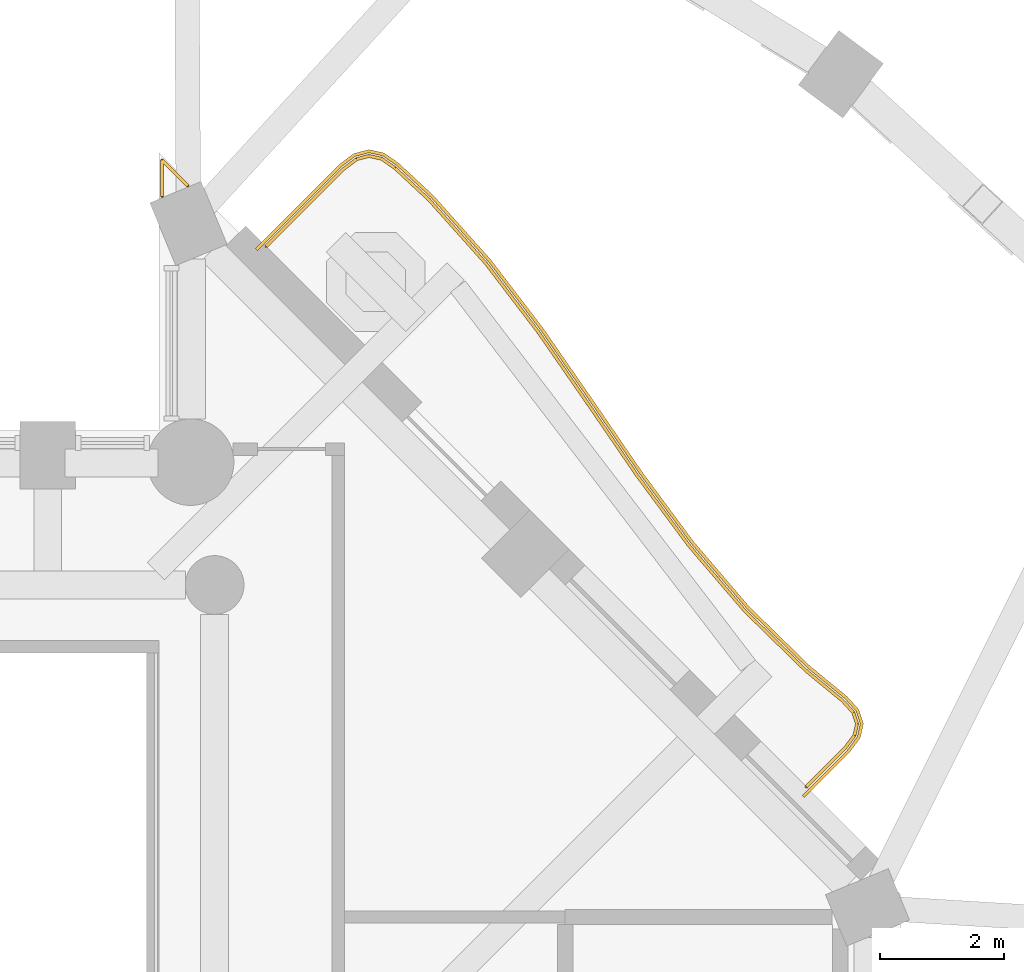
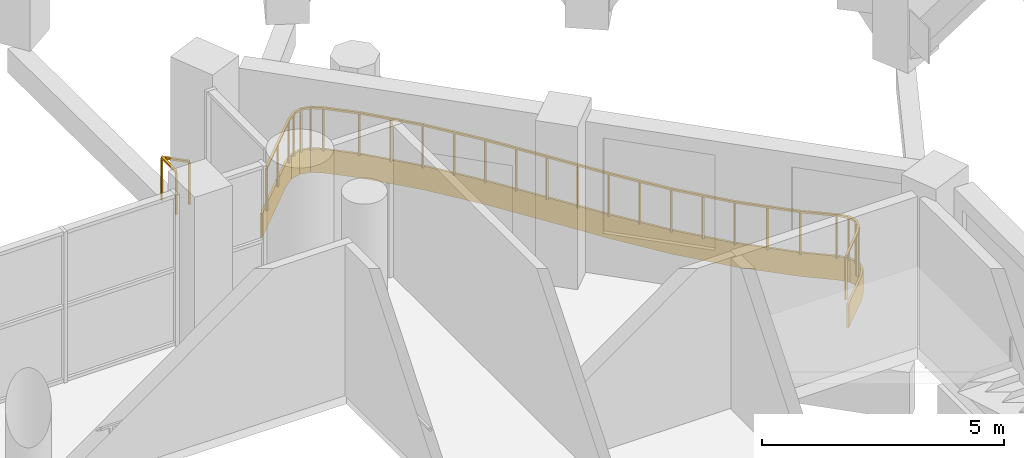
# One storey, part 15 of 16: 2 railings, 1 covering.
"""IFC4 building model written with IfcOpenShell, lengths in metres."""

from ifc_helpers import new_model, si_unit, direction, frame, origin, origin_2d, place, context, subcontext, project, spatial, polyline, rectangle, outline, extrude, material, layer, layer_set, type_object, element, save


model = new_model("IFC4")

# Units and contexts
model_context = context("Model", 3, precision=1e-05, world=origin(), true_north=direction((0.0, 1.0)))
body_context = subcontext(model_context, "Body", "Model", "MODEL_VIEW")
ifc_project = project(units=[si_unit("LENGTHUNIT", "METRE"), si_unit("AREAUNIT", "SQUARE_METRE"), si_unit("VOLUMEUNIT", "CUBIC_METRE"), si_unit("PLANEANGLEUNIT", "RADIAN"), si_unit("MASSUNIT", "GRAM", prefix="KILO")], contexts=[model_context])

# Site, building, storey
site_placement = place(None, origin())
site = spatial("IfcSite", under=ifc_project, at=site_placement, CompositionType="ELEMENT")
building_placement = place(site_placement, origin())
building = spatial("IfcBuilding", under=site, at=building_placement, Name="Cypress Arch Tower", CompositionType="ELEMENT")
storey_placement = place(building_placement, frame((0.0, 0.0, 181.0)))
storey = spatial("IfcBuildingStorey", under=building, at=storey_placement, Name="L39", CompositionType="ELEMENT", Elevation=181.0)

# Covering
ifc_material_1 = material(Name="White powder-coated aluminium fascia", Category="aluminium")
ifc_layer = layer(ifc_material_1, 0.050048828125)
ifc_layer_set = layer_set([ifc_layer], Name="Balcony fascia BF50")
covering_type = type_object("IfcCoveringType", Name="Balcony fascia BF50", PredefinedType="CLADDING", material=ifc_layer_set)
covering_placement = place(storey_placement, frame((0.0, 0.0, -0.60009765625)))
element("IfcCovering", 1, at=covering_placement, inside=storey, type_object=covering_type, Name="Balcony fascia L39-B05", PredefinedType="CLADDING", context=body_context, shape_type="SweptSolid", body=[
    extrude(outline(polyline([(11.021240234375, 16.81005859375), (11.25341796875, 16.984375), (11.498291015625, 17.048095703125), (11.744873046875, 16.9931640625), (11.983154296875, 16.82666015625), (12.544921875, 16.302734375), (13.47265625, 15.264892578125), (14.32275390625, 14.151123046875), (15.125244140625, 12.992431640625), (15.92138671875, 11.829833984375), (16.752685546875, 10.705322265625), (17.653076171875, 9.65185546875), (18.640869140625, 8.686279296875), (19.23388671875, 8.199462890625), (19.427734375, 7.9873046875), (19.503662109375, 7.7568359375), (19.45068359375, 7.52001953125), (19.278564453125, 7.289794921875), (18.545166015625, 6.556396484375), (18.509765625, 6.591796875), (19.24072265625, 7.322509765625), (19.404296875, 7.541259765625), (19.451904296875, 7.75439453125), (19.383544921875, 7.961669921875), (19.199462890625, 8.1630859375), (18.607421875, 8.64892578125), (17.616455078125, 9.61767578125), (16.71337890625, 10.674072265625), (15.880615234375, 11.80078125), (15.084228515625, 12.9638671875), (14.2822265625, 14.12158203125), (13.43408203125, 15.23291015625), (12.50927734375, 16.267822265625), (11.95166015625, 16.787841796875), (11.724365234375, 16.9462890625), (11.4990234375, 16.99658203125), (11.275634765625, 16.9384765625), (11.05419921875, 16.772216796875), (9.691650390625, 15.40966796875), (9.65625, 15.445068359375), (11.021240234375, 16.81005859375)])), origin(), (0.0, 0.0, 1.0), 0.60009765625),
])

# Railings
ifc_material_2 = material(Name="Powder-coated steel posts and rods, 100 mm clear between rods", Category="steel")
railing_type_1 = type_object("IfcRailingType", Name="Balcony guard GR1100", PredefinedType="GUARDRAIL", material=ifc_material_2)
railing_1_placement = place(storey_placement, frame((9.83251953125, 15.479736328125, 0.0)))
element("IfcRailing", 2, at=railing_1_placement, inside=storey, type_object=railing_type_1, Name="Balcony guard L39-B05", PredefinedType="GUARDRAIL", context=body_context, shape_type="SweptSolid", body=[
    extrude(rectangle(XDim=0.050048828125, YDim=0.050048828125, at=origin_2d()), frame((0.0, 0.0, 1.0751953125), z_axis=(0.707037973054, 0.707175582624, 0.0), x_axis=(-0.707175582624, 0.707037973054, 0.0)), (0.0, 0.0, 1.0), 1.774169921875),
    extrude(rectangle(XDim=0.050048828125, YDim=0.050048828125, at=origin_2d()), frame((1.25439453125, 1.254638671875, 1.0751953125), z_axis=(0.8, 0.6, 0.0), x_axis=(-0.6, 0.8, 0.0)), (0.0, 0.0, 1.0), 0.263671875),
    extrude(rectangle(XDim=0.050048828125, YDim=0.050048828125, at=origin_2d()), frame((1.46533203125, 1.412841796875, 1.0751953125), z_axis=(0.967617272397, 0.252421897147, 0.0), x_axis=(-0.252421897147, 0.967617272397, 0.0)), (0.0, 0.0, 1.0), 0.208984375),
    extrude(rectangle(XDim=0.050048828125, YDim=0.050048828125, at=origin_2d()), frame((1.66748046875, 1.465576171875, 1.0751953125), z_axis=(0.975828263359, -0.218538784728, 0.0), x_axis=(0.218538784728, 0.975828263359, 0.0)), (0.0, 0.0, 1.0), 0.208984375),
    extrude(rectangle(XDim=0.050048828125, YDim=0.050048828125, at=origin_2d()), frame((1.871337890625, 1.419921875, 1.0751953125), z_axis=(0.820187564296, -0.572094711891, 0.0), x_axis=(0.572094711891, 0.820187564296, 0.0)), (0.0, 0.0, 1.0), 0.263671875),
    extrude(rectangle(XDim=0.050048828125, YDim=0.050048828125, at=origin_2d()), frame((2.087646484375, 1.26904296875, 1.0751953125), z_axis=(0.73120547943, -0.682157274279, 0.0), x_axis=(0.682157274279, 0.73120547943, 0.0)), (0.0, 0.0, 1.0), 0.756591796875),
    extrude(rectangle(XDim=0.050048828125, YDim=0.050048828125, at=origin_2d()), frame((2.640869140625, 0.7529296875, 1.0751953125), z_axis=(0.66647500518, -0.7455273754, 0.0), x_axis=(0.7455273754, 0.66647500518, 0.0)), (0.0, 0.0, 1.0), 1.383544921875),
    extrude(rectangle(XDim=0.050048828125, YDim=0.050048828125, at=origin_2d()), frame((3.56298828125, -0.278564453125, 1.0751953125), z_axis=(0.606754808131, -0.794889050629, 0.0), x_axis=(0.794889050629, 0.606754808131, 0.0)), (0.0, 0.0, 1.0), 1.39501953125),
    extrude(rectangle(XDim=0.050048828125, YDim=0.050048828125, at=origin_2d()), frame((4.409423828125, -1.387451171875, 1.0751953125), z_axis=(0.569309226398, -0.822123472927, 0.0), x_axis=(0.822123472927, 0.569309226398, 0.0)), (0.0, 0.0, 1.0), 1.406982421875),
    extrude(rectangle(XDim=0.050048828125, YDim=0.050048828125, at=origin_2d()), frame((5.21044921875, -2.544189453125, 1.0751953125), z_axis=(0.564963112058, -0.825116162739, 0.0), x_axis=(0.825116162739, 0.564963112058, 0.0)), (0.0, 0.0, 1.0), 1.410400390625),
    extrude(rectangle(XDim=0.050048828125, YDim=0.050048828125, at=origin_2d()), frame((6.00732421875, -3.7080078125, 1.0751953125), z_axis=(0.594420399832, -0.804154455477, 0.0), x_axis=(0.804154455477, 0.594420399832, 0.0)), (0.0, 0.0, 1.0), 1.40380859375),
    extrude(rectangle(XDim=0.050048828125, YDim=0.050048828125, at=origin_2d()), frame((6.841796875, -4.8369140625, 1.0751953125), z_axis=(0.649867661915, -0.760047381415, 0.0), x_axis=(0.760047381415, 0.649867661915, 0.0)), (0.0, 0.0, 1.0), 1.393798828125),
    extrude(rectangle(XDim=0.050048828125, YDim=0.050048828125, at=origin_2d()), frame((7.74755859375, -5.896240234375, 1.0751953125), z_axis=(0.715053494428, -0.699069739087, 0.0), x_axis=(0.699069739087, 0.715053494428, 0.0)), (0.0, 0.0, 1.0), 1.389892578125),
    extrude(rectangle(XDim=0.050048828125, YDim=0.050048828125, at=origin_2d()), frame((8.741455078125, -6.867919921875, 1.0751953125), z_axis=(0.772860501398, -0.634575957139, 0.0), x_axis=(0.634575957139, 0.772860501398, 0.0)), (0.0, 0.0, 1.0), 0.764404296875),
    extrude(rectangle(XDim=0.050048828125, YDim=0.050048828125, at=origin_2d()), frame((9.332275390625, -7.35302734375, 1.0751953125), z_axis=(0.674783886552, -0.738015383613, 0.0), x_axis=(0.738015383613, 0.674783886552, 0.0)), (0.0, 0.0, 1.0), 0.2587890625),
    extrude(rectangle(XDim=0.050048828125, YDim=0.050048828125, at=origin_2d()), frame((9.5068359375, -7.5439453125, 1.0751953125), z_axis=(0.313581870867, -0.949561167205, 0.0), x_axis=(0.949561167205, 0.313581870867, 0.0)), (0.0, 0.0, 1.0), 0.19384765625),
    extrude(rectangle(XDim=0.050048828125, YDim=0.050048828125, at=origin_2d()), frame((9.567626953125, -7.72802734375, 1.0751953125), z_axis=(-0.219332222795, -0.975650232432, 0.0), x_axis=(0.975650232432, -0.219332222795, 0.0)), (0.0, 0.0, 1.0), 0.193603515625),
    extrude(rectangle(XDim=0.050048828125, YDim=0.050048828125, at=origin_2d()), frame((9.525146484375, -7.9169921875, 1.0751953125), z_axis=(-0.598943073349, -0.800791605155, 0.0), x_axis=(0.800791605155, -0.598943073349, 0.0)), (0.0, 0.0, 1.0), 0.2587890625),
    extrude(rectangle(XDim=0.050048828125, YDim=0.050048828125, at=origin_2d()), frame((9.3701171875, -8.124267578125, 1.0751953125), z_axis=(-0.706968200734, -0.707245334485, 0.0), x_axis=(0.707245334485, -0.706968200734, 0.0)), (0.0, 0.0, 1.0), 0.880859375),
    extrude(rectangle(XDim=0.0400390625, YDim=0.0400390625, at=origin_2d()), origin(), (0.0, 0.0, 1.0), 1.050048828125),
    extrude(rectangle(XDim=0.0400390625, YDim=0.0400390625, at=origin_2d()), frame((0.627197265625, 0.62744140625, 0.0)), (0.0, 0.0, 1.0), 1.050048828125),
    extrude(rectangle(XDim=0.0400390625, YDim=0.0400390625, at=origin_2d()), frame((1.25439453125, 1.254638671875, 0.0)), (0.0, 0.0, 1.0), 1.050048828125),
    extrude(rectangle(XDim=0.0400390625, YDim=0.0400390625, at=origin_2d()), frame((1.46533203125, 1.412841796875, 0.0)), (0.0, 0.0, 1.0), 1.050048828125),
    extrude(rectangle(XDim=0.0400390625, YDim=0.0400390625, at=origin_2d()), frame((1.66748046875, 1.465576171875, 0.0)), (0.0, 0.0, 1.0), 1.050048828125),
    extrude(rectangle(XDim=0.0400390625, YDim=0.0400390625, at=origin_2d()), frame((1.871337890625, 1.419921875, 0.0)), (0.0, 0.0, 1.0), 1.050048828125),
    extrude(rectangle(XDim=0.0400390625, YDim=0.0400390625, at=origin_2d()), frame((2.087646484375, 1.26904296875, 0.0)), (0.0, 0.0, 1.0), 1.050048828125),
    extrude(rectangle(XDim=0.0400390625, YDim=0.0400390625, at=origin_2d()), frame((2.640869140625, 0.7529296875, 0.0)), (0.0, 0.0, 1.0), 1.050048828125),
    extrude(rectangle(XDim=0.0400390625, YDim=0.0400390625, at=origin_2d()), frame((3.10205078125, 0.2373046875, 0.0)), (0.0, 0.0, 1.0), 1.050048828125),
    extrude(rectangle(XDim=0.0400390625, YDim=0.0400390625, at=origin_2d()), frame((3.56298828125, -0.278564453125, 0.0)), (0.0, 0.0, 1.0), 1.050048828125),
    extrude(rectangle(XDim=0.0400390625, YDim=0.0400390625, at=origin_2d()), frame((3.986328125, -0.8330078125, 0.0)), (0.0, 0.0, 1.0), 1.050048828125),
    extrude(rectangle(XDim=0.0400390625, YDim=0.0400390625, at=origin_2d()), frame((4.409423828125, -1.387451171875, 0.0)), (0.0, 0.0, 1.0), 1.050048828125),
    extrude(rectangle(XDim=0.0400390625, YDim=0.0400390625, at=origin_2d()), frame((4.81005859375, -1.9658203125, 0.0)), (0.0, 0.0, 1.0), 1.050048828125),
    extrude(rectangle(XDim=0.0400390625, YDim=0.0400390625, at=origin_2d()), frame((5.21044921875, -2.544189453125, 0.0)), (0.0, 0.0, 1.0), 1.050048828125),
    extrude(rectangle(XDim=0.0400390625, YDim=0.0400390625, at=origin_2d()), frame((5.60888671875, -3.1259765625, 0.0)), (0.0, 0.0, 1.0), 1.050048828125),
    extrude(rectangle(XDim=0.0400390625, YDim=0.0400390625, at=origin_2d()), frame((6.00732421875, -3.7080078125, 0.0)), (0.0, 0.0, 1.0), 1.050048828125),
    extrude(rectangle(XDim=0.0400390625, YDim=0.0400390625, at=origin_2d()), frame((6.424560546875, -4.2724609375, 0.0)), (0.0, 0.0, 1.0), 1.050048828125),
    extrude(rectangle(XDim=0.0400390625, YDim=0.0400390625, at=origin_2d()), frame((6.841796875, -4.8369140625, 0.0)), (0.0, 0.0, 1.0), 1.050048828125),
    extrude(rectangle(XDim=0.0400390625, YDim=0.0400390625, at=origin_2d()), frame((7.294677734375, -5.36669921875, 0.0)), (0.0, 0.0, 1.0), 1.050048828125),
    extrude(rectangle(XDim=0.0400390625, YDim=0.0400390625, at=origin_2d()), frame((7.74755859375, -5.896240234375, 0.0)), (0.0, 0.0, 1.0), 1.050048828125),
    extrude(rectangle(XDim=0.0400390625, YDim=0.0400390625, at=origin_2d()), frame((8.24462890625, -6.382080078125, 0.0)), (0.0, 0.0, 1.0), 1.050048828125),
    extrude(rectangle(XDim=0.0400390625, YDim=0.0400390625, at=origin_2d()), frame((8.741455078125, -6.867919921875, 0.0)), (0.0, 0.0, 1.0), 1.050048828125),
    extrude(rectangle(XDim=0.0400390625, YDim=0.0400390625, at=origin_2d()), frame((9.332275390625, -7.35302734375, 0.0)), (0.0, 0.0, 1.0), 1.050048828125),
    extrude(rectangle(XDim=0.0400390625, YDim=0.0400390625, at=origin_2d()), frame((9.5068359375, -7.5439453125, 0.0)), (0.0, 0.0, 1.0), 1.050048828125),
    extrude(rectangle(XDim=0.0400390625, YDim=0.0400390625, at=origin_2d()), frame((9.567626953125, -7.72802734375, 0.0)), (0.0, 0.0, 1.0), 1.050048828125),
    extrude(rectangle(XDim=0.0400390625, YDim=0.0400390625, at=origin_2d()), frame((9.525146484375, -7.9169921875, 0.0)), (0.0, 0.0, 1.0), 1.050048828125),
    extrude(rectangle(XDim=0.0400390625, YDim=0.0400390625, at=origin_2d()), frame((9.3701171875, -8.124267578125, 0.0)), (0.0, 0.0, 1.0), 1.050048828125),
    extrude(rectangle(XDim=0.0400390625, YDim=0.0400390625, at=origin_2d()), frame((8.747314453125, -8.747314453125, 0.0)), (0.0, 0.0, 1.0), 1.050048828125),
])
ifc_material_3 = material(Name="Powder-coated steel posts and rods, 100 mm clear between rods", Category="steel")
railing_type_2 = type_object("IfcRailingType", Name="Corner guard GR1100C", PredefinedType="GUARDRAIL", material=ifc_material_3)
railing_2_placement = place(storey_placement, frame((8.14990234375, 16.290771484375, 0.0)))
element("IfcRailing", 3, at=railing_2_placement, inside=storey, type_object=railing_type_2, Name="Corner guard L39 7", PredefinedType="GUARDRAIL", context=body_context, shape_type="SweptSolid", body=[
    extrude(rectangle(XDim=0.050048828125, YDim=0.050048828125, at=origin_2d()), frame((0.0, 0.0, 1.0751953125), z_axis=(0.0, 1.0, 0.0), x_axis=(-1.0, 0.0, 0.0)), (0.0, 0.0, 1.0), 0.588623046875),
    extrude(rectangle(XDim=0.050048828125, YDim=0.050048828125, at=origin_2d()), frame((0.0, 0.588623046875, 1.0751953125), z_axis=(0.707106781187, -0.707106781187, 0.0), x_axis=(0.707106781187, 0.707106781187, 0.0)), (0.0, 0.0, 1.0), 0.588623046875),
    extrude(rectangle(XDim=0.0400390625, YDim=0.0400390625, at=origin_2d()), origin(), (0.0, 0.0, 1.0), 1.050048828125),
    extrude(rectangle(XDim=0.0400390625, YDim=0.0400390625, at=origin_2d()), frame((0.0, 0.588623046875, 0.0)), (0.0, 0.0, 1.0), 1.050048828125),
    extrude(rectangle(XDim=0.0400390625, YDim=0.0400390625, at=origin_2d()), frame((0.416259765625, 0.17236328125, 0.0)), (0.0, 0.0, 1.0), 1.050048828125),
])

save(model, "model.ifc")
